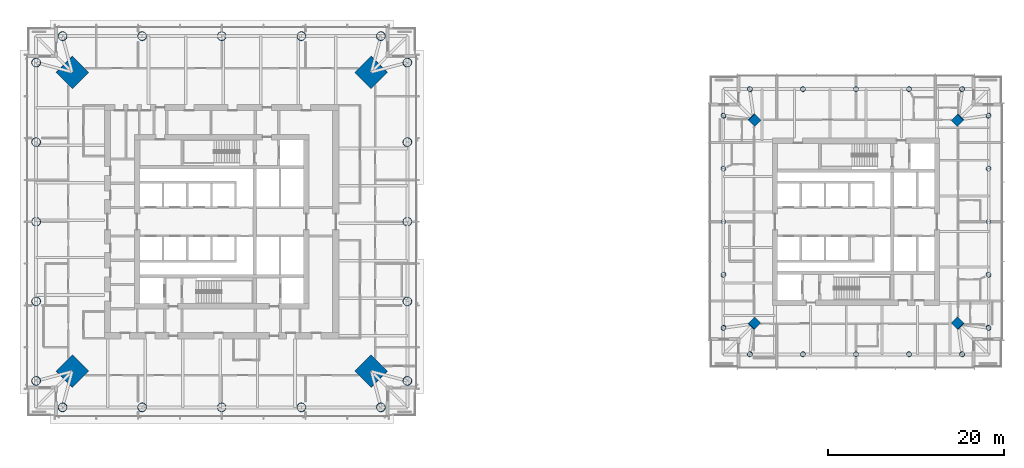
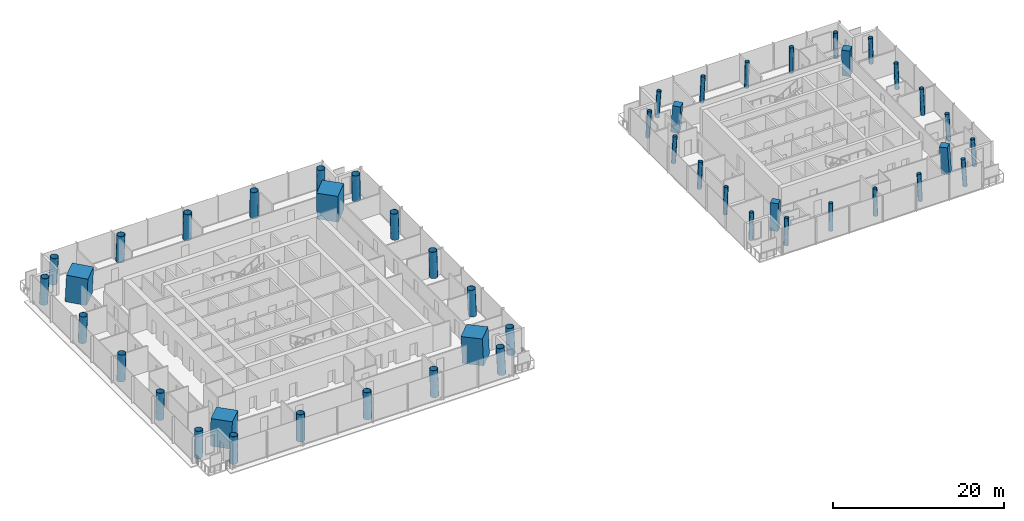
# One storey, part 1 of 27: 48 columns.
"""IFC4 building model written with IfcOpenShell, lengths in metres."""

import ifcopenshell
import ifcopenshell.guid

model = None  # the IFC model being written
_history = None  # IfcOwnerHistory: only IFC2X3 demands one
_inside = {}  # id of a spatial element -> (the spatial element, [elements in it])
_under = {}  # id of a project, library or spatial element -> (it, [spatial elements below it])
_declared = {}  # id of a project -> (the project, [libraries it declares])
_typed = {}  # id of a type object -> (the type object, [elements of that type])
_made_of = {}  # id of a material, layer set ... -> (it, [elements and type objects made of it])


def new_model(schema):
    """Start an empty IFC model of exactly this schema.

    Asked for "IFC4X3", IfcOpenShell would pick the latest addendum, in which some entities
    have other attributes; the version numbers below select the first issue.
    IFC2X3 requires an IfcOwnerHistory on every rooted entity: one is made here for all.
    """
    global model, _history
    if schema == "IFC4X3":
        model = ifcopenshell.file(schema_version=(4, 3, 0, 0))
    else:
        model = ifcopenshell.file(schema=schema)
    _inside.clear()
    _under.clear()
    _declared.clear()
    _typed.clear()
    _made_of.clear()
    _history = None
    if model.schema == "IFC2X3":
        org = make("IfcOrganization", Name="unknown")
        user = make(
            "IfcPersonAndOrganization",
            ThePerson=make("IfcPerson", FamilyName="unknown"),
            TheOrganization=org,
        )
        app = make(
            "IfcApplication",
            ApplicationDeveloper=org,
            Version="unknown",
            ApplicationFullName="unknown",
            ApplicationIdentifier="unknown",
        )
        _history = make(
            "IfcOwnerHistory",
            OwningUser=user,
            OwningApplication=app,
            ChangeAction="ADDED",
            CreationDate=0,
        )
    return model


def make(cls, **values):
    """One entity of the class cls with the attributes given. An attribute that is None is left unset."""
    return model.create_entity(
        cls, **{name: value for name, value in values.items() if value is not None}
    )


def rooted(cls, **values):
    """An entity with a GlobalId (a new one), such as an element, a storey or a relation."""
    return make(cls, GlobalId=ifcopenshell.guid.new(), OwnerHistory=_history, **values)


def si_unit(unit_type, name, prefix=None):
    """IfcSIUnit, for example si_unit("LENGTHUNIT", "METRE", prefix="MILLI")."""
    return make("IfcSIUnit", UnitType=unit_type, Prefix=prefix, Name=name)


def assignment(units):
    """IfcUnitAssignment: the units of a project."""
    return None if units is None else make("IfcUnitAssignment", Units=units)


def point(xyz):
    """IfcCartesianPoint."""
    return None if xyz is None else make("IfcCartesianPoint", Coordinates=xyz)


def direction(xyz):
    """IfcDirection."""
    return None if xyz is None else make("IfcDirection", DirectionRatios=xyz)


def frame(location, z_axis=None, x_axis=None):
    """IfcAxis2Placement3D, a coordinate frame: its origin and axes. An axis left out is left unset."""
    return make(
        "IfcAxis2Placement3D",
        Location=point(location),
        Axis=direction(z_axis),
        RefDirection=direction(x_axis),
    )


def frame_2d(location, x_axis=None):
    """IfcAxis2Placement2D, a coordinate frame in the plane: its origin and x axis."""
    return make(
        "IfcAxis2Placement2D", Location=point(location), RefDirection=direction(x_axis)
    )


def origin():
    """The frame at (0, 0, 0) with its axes left unset."""
    return frame((0.0, 0.0, 0.0))


def origin_2d():
    """The frame at (0, 0) in the plane with its x axis left unset."""
    return frame_2d((0.0, 0.0))


def place(relative_to, where):
    """IfcLocalPlacement: puts the frame where relative to a parent placement (None: the world)."""
    return make(
        "IfcLocalPlacement", PlacementRelTo=relative_to, RelativePlacement=where
    )


def context(
    kind, dimensions, precision=None, world=None, true_north=None, identifier=None
):
    """IfcGeometricRepresentationContext, for example the 3D "Model" context."""
    return make(
        "IfcGeometricRepresentationContext",
        ContextIdentifier=identifier,
        ContextType=kind,
        CoordinateSpaceDimension=dimensions,
        Precision=precision,
        WorldCoordinateSystem=world,
        TrueNorth=true_north,
    )


def subcontext(parent, identifier, kind, view, scale=None):
    """IfcGeometricRepresentationSubContext, for example "Body" below "Model"."""
    return make(
        "IfcGeometricRepresentationSubContext",
        ContextIdentifier=identifier,
        ContextType=kind,
        ParentContext=parent,
        TargetScale=scale,
        TargetView=view,
    )


def project(units=None, contexts=None):
    """IfcProject with its units and contexts."""
    return rooted(
        "IfcProject",
        Name="project",
        RepresentationContexts=contexts,
        UnitsInContext=assignment(units),
    )


def spatial(cls, under=None, at=None, **own):
    """A site, building, storey or space (cls), placed at a placement, below another one or the project."""
    s = rooted(cls, ObjectPlacement=at, **own)
    if under is not None:
        _under.setdefault(under.id(), (under, []))[1].append(s)
    return s


def profile(cls, at=None, kind="AREA", **sizes):
    """A parametric profile (cls). Its sizes go by their IFC names, for example OverallWidth=200.0."""
    return make(cls, ProfileType=kind, Position=at, **sizes)


def rectangle(**sizes):
    """IfcRectangleProfileDef."""
    return profile("IfcRectangleProfileDef", **sizes)


def hollow_circle(**sizes):
    """IfcCircleHollowProfileDef."""
    return profile("IfcCircleHollowProfileDef", **sizes)


def extrude(swept, where, along, depth):
    """IfcExtrudedAreaSolid: the profile swept, set in the frame where, extruded along a direction by depth."""
    return make(
        "IfcExtrudedAreaSolid",
        SweptArea=swept,
        Position=where,
        ExtrudedDirection=direction(along),
        Depth=depth,
    )


def shape(context_of_items, identifier, shape_type, items):
    """IfcShapeRepresentation: the items that make up one representation, for example the "Body"."""
    return make(
        "IfcShapeRepresentation",
        ContextOfItems=context_of_items,
        RepresentationIdentifier=identifier,
        RepresentationType=shape_type,
        Items=items,
    )


def material(Name=None, Category=None):
    """IfcMaterial."""
    return make("IfcMaterial", Name=Name, Category=Category)


def material_profile(
    of_material, cross_section, Name=None, Category=None, Priority=None
):
    """IfcMaterialProfile: a cross section and its material."""
    return make(
        "IfcMaterialProfile",
        Name=Name,
        Material=of_material,
        Profile=cross_section,
        Priority=Priority,
        Category=Category,
    )


def profile_set(profiles, Name=None, composite=None):
    """IfcMaterialProfileSet."""
    return make(
        "IfcMaterialProfileSet",
        Name=Name,
        MaterialProfiles=profiles,
        CompositeProfile=composite,
    )


def made_of(thing, what):
    """Note that an element or type object is made of a material, layer set ...; save() writes the relation."""
    if what is not None:
        _made_of.setdefault(what.id(), (what, []))[1].append(thing)
    return thing


def type_object(cls, material=None, **own):
    """A type object (cls), such as IfcWallType, which elements share."""
    return made_of(rooted(cls, **own), material)


def element(
    cls,
    number,
    at=None,
    inside=None,
    cuts=None,
    type_object=None,
    material=None,
    context=None,
    identifier="Body",
    shape_type=None,
    held_by="IfcProductDefinitionShape",
    body=None,
    shapes=None,
    **own,
):
    """One element of the class cls, such as IfcWall. Its Tag is "e" and its number.

    at: its placement. inside: the storey or other place that contains it. cuts: it is an
    opening in that element (IfcRelVoidsElement). A single representation is given by context,
    identifier, shape_type and body (its items); several are given by shapes. held_by: the class
    of the entity that holds the representations. save() writes the other relations.
    """
    e = rooted(cls, Tag="e%d" % number, ObjectPlacement=at, **own)
    if body is not None:
        shapes = [shape(context, identifier, shape_type, body)]
    if shapes is not None:
        e.Representation = make(held_by, Representations=shapes)
    if inside is not None:
        _inside.setdefault(inside.id(), (inside, []))[1].append(e)
    if cuts is not None:
        rooted(
            "IfcRelVoidsElement", RelatingBuildingElement=cuts, RelatedOpeningElement=e
        )
    if type_object is not None:
        _typed.setdefault(type_object.id(), (type_object, []))[1].append(e)
    return made_of(e, material)


def aggregate(whole, parts):
    """IfcRelAggregates: a whole, such as a stair, and the parts it consists of."""
    return rooted("IfcRelAggregates", RelatingObject=whole, RelatedObjects=parts)


def save(model, path):
    """Write the relations noted so far, then the file.

    IfcRelAggregates (storeys below a building ...), IfcRelContainedInSpatialStructure (elements
    in a storey), IfcRelDefinesByType, IfcRelAssociatesMaterial and IfcRelDeclares: one each for
    every whole, place, type object, material and project.
    """
    for whole, parts in _under.values():
        aggregate(whole, parts)
    for where, things in _inside.values():
        rooted(
            "IfcRelContainedInSpatialStructure",
            RelatedElements=things,
            RelatingStructure=where,
        )
    for kind, things in _typed.values():
        rooted("IfcRelDefinesByType", RelatedObjects=things, RelatingType=kind)
    for what, things in _made_of.values():
        rooted("IfcRelAssociatesMaterial", RelatedObjects=things, RelatingMaterial=what)
    for by, libraries in _declared.values():
        rooted("IfcRelDeclares", RelatingContext=by, RelatedDefinitions=libraries)
    model.write(path)


model = new_model("IFC4")

# Units and contexts
model_context = context("Model", 3, precision=1e-05, world=origin(), true_north=direction((0.0, 1.0)))
body_context = subcontext(model_context, "Body", "Model", "MODEL_VIEW")
ifc_project = project(units=[si_unit("LENGTHUNIT", "METRE"), si_unit("AREAUNIT", "SQUARE_METRE"), si_unit("VOLUMEUNIT", "CUBIC_METRE"), si_unit("PLANEANGLEUNIT", "RADIAN"), si_unit("MASSUNIT", "GRAM", prefix="KILO")], contexts=[model_context])

# Site, building, storey
site_placement = place(None, origin())
site = spatial("IfcSite", under=ifc_project, at=site_placement, CompositionType="ELEMENT")
building_placement = place(site_placement, origin())
building = spatial("IfcBuilding", under=site, at=building_placement, Name="Ostroluk Exchange", CompositionType="ELEMENT")
storey_placement = place(building_placement, frame((0.0, 0.0, 112.199951171875)))
storey = spatial("IfcBuildingStorey", under=building, at=storey_placement, Name="L28", CompositionType="ELEMENT", Elevation=112.199951171875)

# Columns
ifc_material_1 = material(Name="Concrete C50/60", Category="concrete")
ifc_material_profile_1 = material_profile(ifc_material_1, rectangle(XDim=1.0, YDim=1.0, at=origin_2d()), Name="RC 1000x1000")
ifc_profile_set_1 = profile_set([ifc_material_profile_1], Name="Concrete C50/60")
column_type_1 = type_object("IfcColumnType", Name="Mega column RC 1000x1000", PredefinedType="COLUMN", material=ifc_profile_set_1)
for number, where, z_axis, x_axis, name in (
    (1, (128.56884765625, 57.56884765625, 0.0), (-0.042965756413, -0.042965756413, 0.998152236661), (0.707106781187, -0.707106781187, 0.0), "T2 mega column NE"),
    (2, (105.43115234375, 57.56884765625, 0.0), (0.042965756413, -0.042965756413, 0.998152236661), (0.707106781187, 0.707106781187, 0.0), "T2 mega column NW"),
    (3, (105.43115234375, 34.43115234375, 0.0), (0.042965756413, 0.042965756413, 0.998152236661), (-0.707106781187, 0.707106781187, 0.0), "T2 mega column SW"),
    (4, (128.56884765625, 34.43115234375, 0.0), (-0.042965756413, 0.042965756413, 0.998152236661), (-0.707106781187, -0.707106781187, 0.0), "T2 mega column SE"),
):
    element("IfcColumn", number, at=place(storey_placement, frame(where, z_axis=z_axis, x_axis=x_axis)), inside=storey, type_object=column_type_1, Name=name, PredefinedType="COLUMN", context=body_context, shape_type="SweptSolid", body=[
        extrude(rectangle(XDim=1.0, YDim=1.0, at=origin_2d()), origin(), (0.0, 0.0, 1.0), 3.80712890625),
    ])
ifc_material_2 = material(Name="Concrete C50/60", Category="concrete")
ifc_material_profile_2 = material_profile(ifc_material_2, rectangle(XDim=2.60009765625, YDim=2.60009765625, at=origin_2d()), Name="RC 2600x2600")
ifc_profile_set_2 = profile_set([ifc_material_profile_2], Name="Concrete C50/60")
column_type_2 = type_object("IfcColumnType", Name="Mega column RC 2600x2600", PredefinedType="COLUMN", material=ifc_profile_set_2)
for number, where, z_axis, x_axis, name in (
    (5, (61.985595703125, 62.985595703125, 0.0), (-0.031898107953, -0.031898107953, 0.998981992539), (0.707106781187, -0.707106781187, 0.0), "T1 mega column NE"),
    (6, (28.014404296875, 62.985595703125, 0.0), (0.031898107953, -0.031898107953, 0.998981992539), (0.707106781187, 0.707106781187, 0.0), "T1 mega column NW"),
    (7, (28.014404296875, 29.014404296875, 0.0), (0.031898107953, 0.031898107953, 0.998981992539), (-0.707106781187, 0.707106781187, 0.0), "T1 mega column SW"),
    (8, (61.985595703125, 29.014404296875, 0.0), (-0.031898107953, 0.031898107953, 0.998981992539), (-0.707106781187, -0.707106781187, 0.0), "T1 mega column SE"),
):
    element("IfcColumn", number, at=place(storey_placement, frame(where, z_axis=z_axis, x_axis=x_axis)), inside=storey, type_object=column_type_2, Name=name, PredefinedType="COLUMN", context=body_context, shape_type="SweptSolid", body=[
        extrude(rectangle(XDim=2.60009765625, YDim=2.60009765625, at=origin_2d()), origin(), (0.0, 0.0, 1.0), 3.803955078125),
    ])
ifc_material_3 = material(Name="Steel S460", Category="steel")
ifc_material_profile_3 = material_profile(ifc_material_3, hollow_circle(Radius=0.508056640625, WallThickness=0.0400390625, at=origin_2d()), Name="CHS 1016x40")
ifc_profile_set_3 = profile_set([ifc_material_profile_3], Name="Steel S460")
column_type_3 = type_object("IfcColumnType", Name="Perimeter column CHS 1016x40", PredefinedType="COLUMN", material=ifc_profile_set_3)
for number, where, z_axis, x_axis, name in (
    (9, (66.085693359375, 27.914306640625, 0.0), (-0.031898107953, 0.031898107953, 0.998981992539), (-0.707106781187, -0.707106781187, 0.0), "T1 east face column E0"),
    (10, (66.085693359375, 64.085693359375, 0.0), (-0.031898107953, -0.031898107953, 0.998981992539), (0.707106781187, -0.707106781187, 0.0), "T1 east face column E1"),
):
    element("IfcColumn", number, at=place(storey_placement, frame(where, z_axis=z_axis, x_axis=x_axis)), inside=storey, type_object=column_type_3, Name=name, PredefinedType="COLUMN", context=body_context, shape_type="SweptSolid", body=[
        extrude(hollow_circle(Radius=0.508056640625, WallThickness=0.0400390625, at=origin_2d()), origin(), (0.0, 0.0, 1.0), 3.803955078125),
    ])
column_1_placement = place(storey_placement, frame((66.085693359375, 36.95703125, 0.0), z_axis=(-0.031910269556, 0.015987237665, 0.999362868496), x_axis=(-0.447933021895, -0.894067115991, 0.0)))
element("IfcColumn", 11, at=column_1_placement, inside=storey, type_object=column_type_3, Name="T1 east face column I1", PredefinedType="COLUMN", context=body_context, shape_type="SweptSolid", body=[
    extrude(hollow_circle(Radius=0.508056640625, WallThickness=0.0400390625, at=origin_2d()), origin(), (0.0, 0.0, 1.0), 3.802490234375),
])
column_2_placement = place(storey_placement, frame((66.085693359375, 46.0, 0.0), z_axis=(-0.031914348339, 0.0, 0.999490607445), x_axis=(0.0, -1.0, 0.0)))
element("IfcColumn", 12, at=column_2_placement, inside=storey, type_object=column_type_3, Name="T1 east face column I2", PredefinedType="COLUMN", context=body_context, shape_type="SweptSolid", body=[
    extrude(hollow_circle(Radius=0.508056640625, WallThickness=0.0400390625, at=origin_2d()), origin(), (0.0, 0.0, 1.0), 3.802001953125),
])
column_3_placement = place(storey_placement, frame((66.085693359375, 55.04296875, 0.0), z_axis=(-0.031910269556, -0.015987237665, 0.999362868496), x_axis=(0.447933021895, -0.894067115991, 0.0)))
element("IfcColumn", 13, at=column_3_placement, inside=storey, type_object=column_type_3, Name="T1 east face column I3", PredefinedType="COLUMN", context=body_context, shape_type="SweptSolid", body=[
    extrude(hollow_circle(Radius=0.508056640625, WallThickness=0.0400390625, at=origin_2d()), origin(), (0.0, 0.0, 1.0), 3.802490234375),
])
for number, where, z_axis, x_axis, name in (
    (14, (63.085693359375, 67.085693359375, 0.0), (-0.031898107953, -0.031898107953, 0.998981992539), (0.707106781187, -0.707106781187, 0.0), "T1 north face column E0"),
    (15, (26.914306640625, 67.085693359375, 0.0), (0.031898107953, -0.031898107953, 0.998981992539), (0.707106781187, 0.707106781187, 0.0), "T1 north face column E1"),
):
    element("IfcColumn", number, at=place(storey_placement, frame(where, z_axis=z_axis, x_axis=x_axis)), inside=storey, type_object=column_type_3, Name=name, PredefinedType="COLUMN", context=body_context, shape_type="SweptSolid", body=[
        extrude(hollow_circle(Radius=0.508056640625, WallThickness=0.0400390625, at=origin_2d()), origin(), (0.0, 0.0, 1.0), 3.803955078125),
    ])
column_4_placement = place(storey_placement, frame((54.04296875, 67.085693359375, 0.0), z_axis=(-0.015987237665, -0.031910269556, 0.999362868496), x_axis=(0.894067115991, -0.447933021895, 0.0)))
element("IfcColumn", 16, at=column_4_placement, inside=storey, type_object=column_type_3, Name="T1 north face column I1", PredefinedType="COLUMN", context=body_context, shape_type="SweptSolid", body=[
    extrude(hollow_circle(Radius=0.508056640625, WallThickness=0.0400390625, at=origin_2d()), origin(), (0.0, 0.0, 1.0), 3.802490234375),
])
column_5_placement = place(storey_placement, frame((45.0, 67.085693359375, 0.0), z_axis=(0.0, -0.031914348339, 0.999490607445), x_axis=(1.0, 0.0, 0.0)))
element("IfcColumn", 17, at=column_5_placement, inside=storey, type_object=column_type_3, Name="T1 north face column I2", PredefinedType="COLUMN", context=body_context, shape_type="SweptSolid", body=[
    extrude(hollow_circle(Radius=0.508056640625, WallThickness=0.0400390625, at=origin_2d()), origin(), (0.0, 0.0, 1.0), 3.802001953125),
])
column_6_placement = place(storey_placement, frame((35.95703125, 67.085693359375, 0.0), z_axis=(0.015987237665, -0.031910269556, 0.999362868496), x_axis=(0.894067115991, 0.447933021895, 0.0)))
element("IfcColumn", 18, at=column_6_placement, inside=storey, type_object=column_type_3, Name="T1 north face column I3", PredefinedType="COLUMN", context=body_context, shape_type="SweptSolid", body=[
    extrude(hollow_circle(Radius=0.508056640625, WallThickness=0.0400390625, at=origin_2d()), origin(), (0.0, 0.0, 1.0), 3.802490234375),
])
for number, where, z_axis, x_axis, name in (
    (19, (23.914306640625, 64.085693359375, 0.0), (0.031898107953, -0.031898107953, 0.998981992539), (0.707106781187, 0.707106781187, 0.0), "T1 west face column E0"),
    (20, (23.914306640625, 27.914306640625, 0.0), (0.031898107953, 0.031898107953, 0.998981992539), (-0.707106781187, 0.707106781187, 0.0), "T1 west face column E1"),
):
    element("IfcColumn", number, at=place(storey_placement, frame(where, z_axis=z_axis, x_axis=x_axis)), inside=storey, type_object=column_type_3, Name=name, PredefinedType="COLUMN", context=body_context, shape_type="SweptSolid", body=[
        extrude(hollow_circle(Radius=0.508056640625, WallThickness=0.0400390625, at=origin_2d()), origin(), (0.0, 0.0, 1.0), 3.803955078125),
    ])
column_7_placement = place(storey_placement, frame((23.914306640625, 55.04296875, 0.0), z_axis=(0.031910269556, -0.015987237665, 0.999362868496), x_axis=(0.447933021895, 0.894067115991, 0.0)))
element("IfcColumn", 21, at=column_7_placement, inside=storey, type_object=column_type_3, Name="T1 west face column I1", PredefinedType="COLUMN", context=body_context, shape_type="SweptSolid", body=[
    extrude(hollow_circle(Radius=0.508056640625, WallThickness=0.0400390625, at=origin_2d()), origin(), (0.0, 0.0, 1.0), 3.802490234375),
])
column_8_placement = place(storey_placement, frame((23.914306640625, 46.0, 0.0), z_axis=(0.031914348339, 0.0, 0.999490607445), x_axis=(0.0, 1.0, 0.0)))
element("IfcColumn", 22, at=column_8_placement, inside=storey, type_object=column_type_3, Name="T1 west face column I2", PredefinedType="COLUMN", context=body_context, shape_type="SweptSolid", body=[
    extrude(hollow_circle(Radius=0.508056640625, WallThickness=0.0400390625, at=origin_2d()), origin(), (0.0, 0.0, 1.0), 3.802001953125),
])
column_9_placement = place(storey_placement, frame((23.914306640625, 36.95703125, 0.0), z_axis=(0.031910269556, 0.015987237665, 0.999362868496), x_axis=(-0.447933021895, 0.894067115991, 0.0)))
element("IfcColumn", 23, at=column_9_placement, inside=storey, type_object=column_type_3, Name="T1 west face column I3", PredefinedType="COLUMN", context=body_context, shape_type="SweptSolid", body=[
    extrude(hollow_circle(Radius=0.508056640625, WallThickness=0.0400390625, at=origin_2d()), origin(), (0.0, 0.0, 1.0), 3.802490234375),
])
for number, where, z_axis, x_axis, name in (
    (24, (26.914306640625, 24.914306640625, 0.0), (0.031898107953, 0.031898107953, 0.998981992539), (-0.707106781187, 0.707106781187, 0.0), "T1 south face column E0"),
    (25, (63.085693359375, 24.914306640625, 0.0), (-0.031898107953, 0.031898107953, 0.998981992539), (-0.707106781187, -0.707106781187, 0.0), "T1 south face column E1"),
):
    element("IfcColumn", number, at=place(storey_placement, frame(where, z_axis=z_axis, x_axis=x_axis)), inside=storey, type_object=column_type_3, Name=name, PredefinedType="COLUMN", context=body_context, shape_type="SweptSolid", body=[
        extrude(hollow_circle(Radius=0.508056640625, WallThickness=0.0400390625, at=origin_2d()), origin(), (0.0, 0.0, 1.0), 3.803955078125),
    ])
column_10_placement = place(storey_placement, frame((35.95703125, 24.914306640625, 0.0), z_axis=(0.015987237665, 0.031910269556, 0.999362868496), x_axis=(-0.894067115991, 0.447933021895, 0.0)))
element("IfcColumn", 26, at=column_10_placement, inside=storey, type_object=column_type_3, Name="T1 south face column I1", PredefinedType="COLUMN", context=body_context, shape_type="SweptSolid", body=[
    extrude(hollow_circle(Radius=0.508056640625, WallThickness=0.0400390625, at=origin_2d()), origin(), (0.0, 0.0, 1.0), 3.802490234375),
])
column_11_placement = place(storey_placement, frame((45.0, 24.914306640625, 0.0), z_axis=(0.0, 0.031914348339, 0.999490607445), x_axis=(-1.0, 0.0, 0.0)))
element("IfcColumn", 27, at=column_11_placement, inside=storey, type_object=column_type_3, Name="T1 south face column I2", PredefinedType="COLUMN", context=body_context, shape_type="SweptSolid", body=[
    extrude(hollow_circle(Radius=0.508056640625, WallThickness=0.0400390625, at=origin_2d()), origin(), (0.0, 0.0, 1.0), 3.802001953125),
])
column_12_placement = place(storey_placement, frame((54.04296875, 24.914306640625, 0.0), z_axis=(-0.015987237665, 0.031910269556, 0.999362868496), x_axis=(-0.894067115991, -0.447933021895, 0.0)))
element("IfcColumn", 28, at=column_12_placement, inside=storey, type_object=column_type_3, Name="T1 south face column I3", PredefinedType="COLUMN", context=body_context, shape_type="SweptSolid", body=[
    extrude(hollow_circle(Radius=0.508056640625, WallThickness=0.0400390625, at=origin_2d()), origin(), (0.0, 0.0, 1.0), 3.802490234375),
])
ifc_material_4 = material(Name="Steel S460", Category="steel")
ifc_material_profile_4 = material_profile(ifc_material_4, hollow_circle(Radius=0.279541015625, WallThickness=0.02001953125, at=origin_2d()), Name="CHS 559x20")
ifc_profile_set_4 = profile_set([ifc_material_profile_4], Name="Steel S460")
column_type_4 = type_object("IfcColumnType", Name="Perimeter column CHS 559x20", PredefinedType="COLUMN", material=ifc_profile_set_4)
for number, where, z_axis, x_axis, name in (
    (29, (132.06884765625, 33.93115234375, 0.0), (-0.042965756413, 0.042965756413, 0.998152236661), (-0.707106781187, -0.707106781187, 0.0), "T2 east face column E0"),
    (30, (132.06884765625, 58.06884765625, 0.0), (-0.042965756413, -0.042965756413, 0.998152236661), (0.707106781187, -0.707106781187, 0.0), "T2 east face column E1"),
):
    element("IfcColumn", number, at=place(storey_placement, frame(where, z_axis=z_axis, x_axis=x_axis)), inside=storey, type_object=column_type_4, Name=name, PredefinedType="COLUMN", context=body_context, shape_type="SweptSolid", body=[
        extrude(hollow_circle(Radius=0.279541015625, WallThickness=0.02001953125, at=origin_2d()), origin(), (0.0, 0.0, 1.0), 3.80712890625),
    ])
column_13_placement = place(storey_placement, frame((132.06884765625, 39.965576171875, 0.0), z_axis=(-0.042995531285, 0.021497765643, 0.998843946952), x_axis=(-0.4472135955, -0.894427191, 0.0)))
element("IfcColumn", 31, at=column_13_placement, inside=storey, type_object=column_type_4, Name="T2 east face column I1", PredefinedType="COLUMN", context=body_context, shape_type="SweptSolid", body=[
    extrude(hollow_circle(Radius=0.279541015625, WallThickness=0.02001953125, at=origin_2d()), origin(), (0.0, 0.0, 1.0), 3.804443359375),
])
column_14_placement = place(storey_placement, frame((132.06884765625, 46.0, 0.0), z_axis=(-0.043005470007, 0.0, 0.999074836811), x_axis=(0.0, -1.0, 0.0)))
element("IfcColumn", 32, at=column_14_placement, inside=storey, type_object=column_type_4, Name="T2 east face column I2", PredefinedType="COLUMN", context=body_context, shape_type="SweptSolid", body=[
    extrude(hollow_circle(Radius=0.279541015625, WallThickness=0.02001953125, at=origin_2d()), origin(), (0.0, 0.0, 1.0), 3.803466796875),
])
column_15_placement = place(storey_placement, frame((132.06884765625, 52.034423828125, 0.0), z_axis=(-0.042995531285, -0.021497765643, 0.998843946952), x_axis=(0.4472135955, -0.894427191, 0.0)))
element("IfcColumn", 33, at=column_15_placement, inside=storey, type_object=column_type_4, Name="T2 east face column I3", PredefinedType="COLUMN", context=body_context, shape_type="SweptSolid", body=[
    extrude(hollow_circle(Radius=0.279541015625, WallThickness=0.02001953125, at=origin_2d()), origin(), (0.0, 0.0, 1.0), 3.804443359375),
])
for number, where, z_axis, x_axis, name in (
    (34, (129.06884765625, 61.06884765625, 0.0), (-0.042965756413, -0.042965756413, 0.998152236661), (0.707106781187, -0.707106781187, 0.0), "T2 north face column E0"),
    (35, (104.93115234375, 61.06884765625, 0.0), (0.042965756413, -0.042965756413, 0.998152236661), (0.707106781187, 0.707106781187, 0.0), "T2 north face column E1"),
):
    element("IfcColumn", number, at=place(storey_placement, frame(where, z_axis=z_axis, x_axis=x_axis)), inside=storey, type_object=column_type_4, Name=name, PredefinedType="COLUMN", context=body_context, shape_type="SweptSolid", body=[
        extrude(hollow_circle(Radius=0.279541015625, WallThickness=0.02001953125, at=origin_2d()), origin(), (0.0, 0.0, 1.0), 3.80712890625),
    ])
column_16_placement = place(storey_placement, frame((123.034423828125, 61.06884765625, 0.0), z_axis=(-0.021497765643, -0.042995531285, 0.998843946952), x_axis=(0.894427191, -0.4472135955, 0.0)))
element("IfcColumn", 36, at=column_16_placement, inside=storey, type_object=column_type_4, Name="T2 north face column I1", PredefinedType="COLUMN", context=body_context, shape_type="SweptSolid", body=[
    extrude(hollow_circle(Radius=0.279541015625, WallThickness=0.02001953125, at=origin_2d()), origin(), (0.0, 0.0, 1.0), 3.804443359375),
])
column_17_placement = place(storey_placement, frame((117.0, 61.06884765625, 0.0), z_axis=(0.0, -0.043005470007, 0.999074836811), x_axis=(1.0, 0.0, 0.0)))
element("IfcColumn", 37, at=column_17_placement, inside=storey, type_object=column_type_4, Name="T2 north face column I2", PredefinedType="COLUMN", context=body_context, shape_type="SweptSolid", body=[
    extrude(hollow_circle(Radius=0.279541015625, WallThickness=0.02001953125, at=origin_2d()), origin(), (0.0, 0.0, 1.0), 3.803466796875),
])
column_18_placement = place(storey_placement, frame((110.965576171875, 61.06884765625, 0.0), z_axis=(0.021497765643, -0.042995531285, 0.998843946952), x_axis=(0.894427191, 0.4472135955, 0.0)))
element("IfcColumn", 38, at=column_18_placement, inside=storey, type_object=column_type_4, Name="T2 north face column I3", PredefinedType="COLUMN", context=body_context, shape_type="SweptSolid", body=[
    extrude(hollow_circle(Radius=0.279541015625, WallThickness=0.02001953125, at=origin_2d()), origin(), (0.0, 0.0, 1.0), 3.804443359375),
])
for number, where, z_axis, x_axis, name in (
    (39, (101.93115234375, 58.06884765625, 0.0), (0.042965756413, -0.042965756413, 0.998152236661), (0.707106781187, 0.707106781187, 0.0), "T2 west face column E0"),
    (40, (101.93115234375, 33.93115234375, 0.0), (0.042965756413, 0.042965756413, 0.998152236661), (-0.707106781187, 0.707106781187, 0.0), "T2 west face column E1"),
):
    element("IfcColumn", number, at=place(storey_placement, frame(where, z_axis=z_axis, x_axis=x_axis)), inside=storey, type_object=column_type_4, Name=name, PredefinedType="COLUMN", context=body_context, shape_type="SweptSolid", body=[
        extrude(hollow_circle(Radius=0.279541015625, WallThickness=0.02001953125, at=origin_2d()), origin(), (0.0, 0.0, 1.0), 3.80712890625),
    ])
column_19_placement = place(storey_placement, frame((101.93115234375, 52.034423828125, 0.0), z_axis=(0.042995531285, -0.021497765643, 0.998843946952), x_axis=(0.4472135955, 0.894427191, 0.0)))
element("IfcColumn", 41, at=column_19_placement, inside=storey, type_object=column_type_4, Name="T2 west face column I1", PredefinedType="COLUMN", context=body_context, shape_type="SweptSolid", body=[
    extrude(hollow_circle(Radius=0.279541015625, WallThickness=0.02001953125, at=origin_2d()), origin(), (0.0, 0.0, 1.0), 3.804443359375),
])
column_20_placement = place(storey_placement, frame((101.93115234375, 46.0, 0.0), z_axis=(0.043005470007, 0.0, 0.999074836811), x_axis=(0.0, 1.0, 0.0)))
element("IfcColumn", 42, at=column_20_placement, inside=storey, type_object=column_type_4, Name="T2 west face column I2", PredefinedType="COLUMN", context=body_context, shape_type="SweptSolid", body=[
    extrude(hollow_circle(Radius=0.279541015625, WallThickness=0.02001953125, at=origin_2d()), origin(), (0.0, 0.0, 1.0), 3.803466796875),
])
column_21_placement = place(storey_placement, frame((101.93115234375, 39.965576171875, 0.0), z_axis=(0.042995531285, 0.021497765643, 0.998843946952), x_axis=(-0.4472135955, 0.894427191, 0.0)))
element("IfcColumn", 43, at=column_21_placement, inside=storey, type_object=column_type_4, Name="T2 west face column I3", PredefinedType="COLUMN", context=body_context, shape_type="SweptSolid", body=[
    extrude(hollow_circle(Radius=0.279541015625, WallThickness=0.02001953125, at=origin_2d()), origin(), (0.0, 0.0, 1.0), 3.804443359375),
])
for number, where, z_axis, x_axis, name in (
    (44, (104.93115234375, 30.93115234375, 0.0), (0.042965756413, 0.042965756413, 0.998152236661), (-0.707106781187, 0.707106781187, 0.0), "T2 south face column E0"),
    (45, (129.06884765625, 30.93115234375, 0.0), (-0.042965756413, 0.042965756413, 0.998152236661), (-0.707106781187, -0.707106781187, 0.0), "T2 south face column E1"),
):
    element("IfcColumn", number, at=place(storey_placement, frame(where, z_axis=z_axis, x_axis=x_axis)), inside=storey, type_object=column_type_4, Name=name, PredefinedType="COLUMN", context=body_context, shape_type="SweptSolid", body=[
        extrude(hollow_circle(Radius=0.279541015625, WallThickness=0.02001953125, at=origin_2d()), origin(), (0.0, 0.0, 1.0), 3.80712890625),
    ])
column_22_placement = place(storey_placement, frame((110.965576171875, 30.93115234375, 0.0), z_axis=(0.021497765643, 0.042995531285, 0.998843946952), x_axis=(-0.894427191, 0.4472135955, 0.0)))
element("IfcColumn", 46, at=column_22_placement, inside=storey, type_object=column_type_4, Name="T2 south face column I1", PredefinedType="COLUMN", context=body_context, shape_type="SweptSolid", body=[
    extrude(hollow_circle(Radius=0.279541015625, WallThickness=0.02001953125, at=origin_2d()), origin(), (0.0, 0.0, 1.0), 3.804443359375),
])
column_23_placement = place(storey_placement, frame((117.0, 30.93115234375, 0.0), z_axis=(0.0, 0.043005470007, 0.999074836811), x_axis=(-1.0, 0.0, 0.0)))
element("IfcColumn", 47, at=column_23_placement, inside=storey, type_object=column_type_4, Name="T2 south face column I2", PredefinedType="COLUMN", context=body_context, shape_type="SweptSolid", body=[
    extrude(hollow_circle(Radius=0.279541015625, WallThickness=0.02001953125, at=origin_2d()), origin(), (0.0, 0.0, 1.0), 3.803466796875),
])
column_24_placement = place(storey_placement, frame((123.034423828125, 30.93115234375, 0.0), z_axis=(-0.021497765643, 0.042995531285, 0.998843946952), x_axis=(-0.894427191, -0.4472135955, 0.0)))
element("IfcColumn", 48, at=column_24_placement, inside=storey, type_object=column_type_4, Name="T2 south face column I3", PredefinedType="COLUMN", context=body_context, shape_type="SweptSolid", body=[
    extrude(hollow_circle(Radius=0.279541015625, WallThickness=0.02001953125, at=origin_2d()), origin(), (0.0, 0.0, 1.0), 3.804443359375),
])

save(model, "model.ifc")
